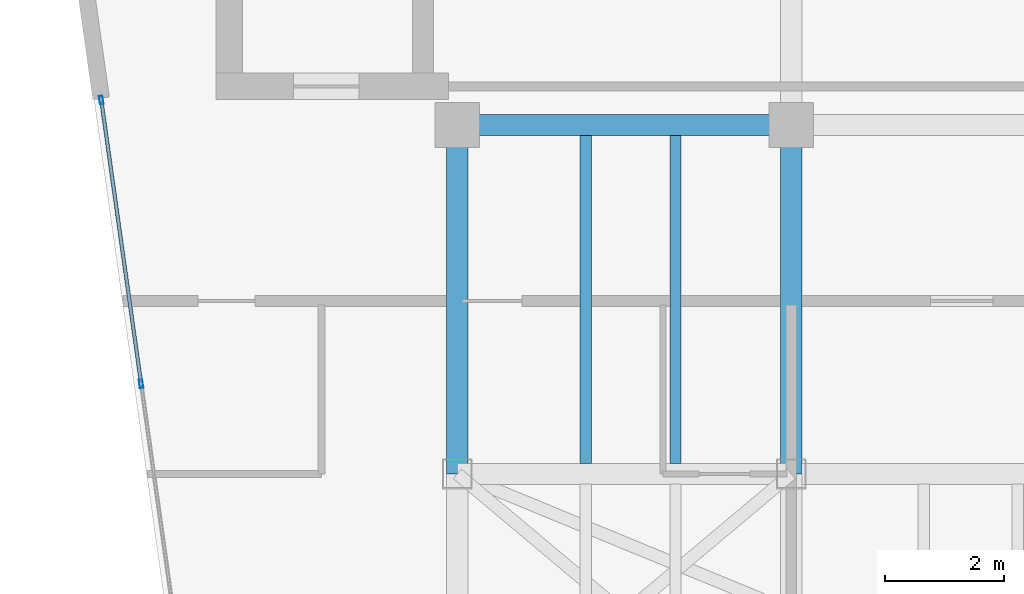
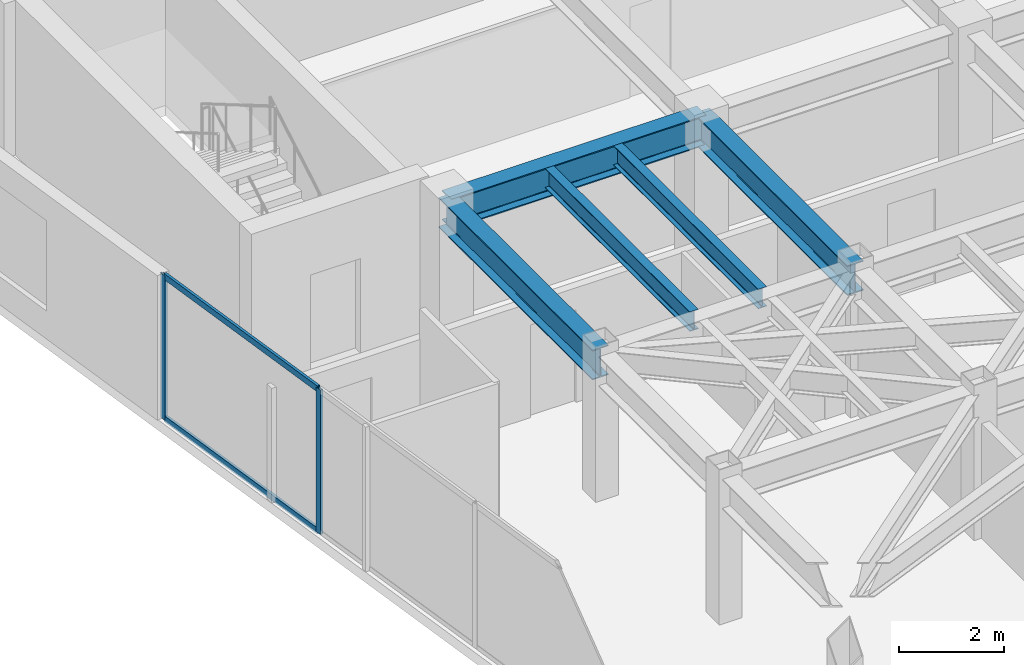
# One storey, part 10 of 20: 5 beams, 4 members, 1 element without a shape of its own.
"""IFC4 building model written with IfcOpenShell, lengths in metres."""

import ifcopenshell
import ifcopenshell.guid

model = None  # the IFC model being written
_history = None  # IfcOwnerHistory: only IFC2X3 demands one
_inside = {}  # id of a spatial element -> (the spatial element, [elements in it])
_under = {}  # id of a project, library or spatial element -> (it, [spatial elements below it])
_declared = {}  # id of a project -> (the project, [libraries it declares])
_typed = {}  # id of a type object -> (the type object, [elements of that type])
_made_of = {}  # id of a material, layer set ... -> (it, [elements and type objects made of it])


def new_model(schema):
    """Start an empty IFC model of exactly this schema.

    Asked for "IFC4X3", IfcOpenShell would pick the latest addendum, in which some entities
    have other attributes; the version numbers below select the first issue.
    IFC2X3 requires an IfcOwnerHistory on every rooted entity: one is made here for all.
    """
    global model, _history
    if schema == "IFC4X3":
        model = ifcopenshell.file(schema_version=(4, 3, 0, 0))
    else:
        model = ifcopenshell.file(schema=schema)
    _inside.clear()
    _under.clear()
    _declared.clear()
    _typed.clear()
    _made_of.clear()
    _history = None
    if model.schema == "IFC2X3":
        org = make("IfcOrganization", Name="unknown")
        user = make(
            "IfcPersonAndOrganization",
            ThePerson=make("IfcPerson", FamilyName="unknown"),
            TheOrganization=org,
        )
        app = make(
            "IfcApplication",
            ApplicationDeveloper=org,
            Version="unknown",
            ApplicationFullName="unknown",
            ApplicationIdentifier="unknown",
        )
        _history = make(
            "IfcOwnerHistory",
            OwningUser=user,
            OwningApplication=app,
            ChangeAction="ADDED",
            CreationDate=0,
        )
    return model


def make(cls, **values):
    """One entity of the class cls with the attributes given. An attribute that is None is left unset."""
    return model.create_entity(
        cls, **{name: value for name, value in values.items() if value is not None}
    )


def rooted(cls, **values):
    """An entity with a GlobalId (a new one), such as an element, a storey or a relation."""
    return make(cls, GlobalId=ifcopenshell.guid.new(), OwnerHistory=_history, **values)


def si_unit(unit_type, name, prefix=None):
    """IfcSIUnit, for example si_unit("LENGTHUNIT", "METRE", prefix="MILLI")."""
    return make("IfcSIUnit", UnitType=unit_type, Prefix=prefix, Name=name)


def assignment(units):
    """IfcUnitAssignment: the units of a project."""
    return None if units is None else make("IfcUnitAssignment", Units=units)


def point(xyz):
    """IfcCartesianPoint."""
    return None if xyz is None else make("IfcCartesianPoint", Coordinates=xyz)


def direction(xyz):
    """IfcDirection."""
    return None if xyz is None else make("IfcDirection", DirectionRatios=xyz)


def frame(location, z_axis=None, x_axis=None):
    """IfcAxis2Placement3D, a coordinate frame: its origin and axes. An axis left out is left unset."""
    return make(
        "IfcAxis2Placement3D",
        Location=point(location),
        Axis=direction(z_axis),
        RefDirection=direction(x_axis),
    )


def frame_2d(location, x_axis=None):
    """IfcAxis2Placement2D, a coordinate frame in the plane: its origin and x axis."""
    return make(
        "IfcAxis2Placement2D", Location=point(location), RefDirection=direction(x_axis)
    )


def origin():
    """The frame at (0, 0, 0) with its axes left unset."""
    return frame((0.0, 0.0, 0.0))


def origin_2d():
    """The frame at (0, 0) in the plane with its x axis left unset."""
    return frame_2d((0.0, 0.0))


def place(relative_to, where):
    """IfcLocalPlacement: puts the frame where relative to a parent placement (None: the world)."""
    return make(
        "IfcLocalPlacement", PlacementRelTo=relative_to, RelativePlacement=where
    )


def context(
    kind, dimensions, precision=None, world=None, true_north=None, identifier=None
):
    """IfcGeometricRepresentationContext, for example the 3D "Model" context."""
    return make(
        "IfcGeometricRepresentationContext",
        ContextIdentifier=identifier,
        ContextType=kind,
        CoordinateSpaceDimension=dimensions,
        Precision=precision,
        WorldCoordinateSystem=world,
        TrueNorth=true_north,
    )


def subcontext(parent, identifier, kind, view, scale=None):
    """IfcGeometricRepresentationSubContext, for example "Body" below "Model"."""
    return make(
        "IfcGeometricRepresentationSubContext",
        ContextIdentifier=identifier,
        ContextType=kind,
        ParentContext=parent,
        TargetScale=scale,
        TargetView=view,
    )


def project(units=None, contexts=None):
    """IfcProject with its units and contexts."""
    return rooted(
        "IfcProject",
        Name="project",
        RepresentationContexts=contexts,
        UnitsInContext=assignment(units),
    )


def spatial(cls, under=None, at=None, **own):
    """A site, building, storey or space (cls), placed at a placement, below another one or the project."""
    s = rooted(cls, ObjectPlacement=at, **own)
    if under is not None:
        _under.setdefault(under.id(), (under, []))[1].append(s)
    return s


def profile(cls, at=None, kind="AREA", **sizes):
    """A parametric profile (cls). Its sizes go by their IFC names, for example OverallWidth=200.0."""
    return make(cls, ProfileType=kind, Position=at, **sizes)


def hollow_rectangle(**sizes):
    """IfcRectangleHollowProfileDef."""
    return profile("IfcRectangleHollowProfileDef", **sizes)


def i_section(**sizes):
    """IfcIShapeProfileDef."""
    return profile("IfcIShapeProfileDef", **sizes)


def extrude(swept, where, along, depth):
    """IfcExtrudedAreaSolid: the profile swept, set in the frame where, extruded along a direction by depth."""
    return make(
        "IfcExtrudedAreaSolid",
        SweptArea=swept,
        Position=where,
        ExtrudedDirection=direction(along),
        Depth=depth,
    )


def shape(context_of_items, identifier, shape_type, items):
    """IfcShapeRepresentation: the items that make up one representation, for example the "Body"."""
    return make(
        "IfcShapeRepresentation",
        ContextOfItems=context_of_items,
        RepresentationIdentifier=identifier,
        RepresentationType=shape_type,
        Items=items,
    )


def material(Name=None, Category=None):
    """IfcMaterial."""
    return make("IfcMaterial", Name=Name, Category=Category)


def layer(
    of_material, thickness, ventilated=None, Name=None, Category=None, Priority=None
):
    """IfcMaterialLayer: one layer of a wall or slab, of a material (None: an air gap)."""
    return make(
        "IfcMaterialLayer",
        Material=of_material,
        LayerThickness=thickness,
        IsVentilated=ventilated,
        Name=Name,
        Category=Category,
        Priority=Priority,
    )


def layer_set(layers, Name=None):
    """IfcMaterialLayerSet."""
    return make("IfcMaterialLayerSet", MaterialLayers=layers, LayerSetName=Name)


def material_profile(
    of_material, cross_section, Name=None, Category=None, Priority=None
):
    """IfcMaterialProfile: a cross section and its material."""
    return make(
        "IfcMaterialProfile",
        Name=Name,
        Material=of_material,
        Profile=cross_section,
        Priority=Priority,
        Category=Category,
    )


def profile_set(profiles, Name=None, composite=None):
    """IfcMaterialProfileSet."""
    return make(
        "IfcMaterialProfileSet",
        Name=Name,
        MaterialProfiles=profiles,
        CompositeProfile=composite,
    )


def made_of(thing, what):
    """Note that an element or type object is made of a material, layer set ...; save() writes the relation."""
    if what is not None:
        _made_of.setdefault(what.id(), (what, []))[1].append(thing)
    return thing


def type_object(cls, material=None, **own):
    """A type object (cls), such as IfcWallType, which elements share."""
    return made_of(rooted(cls, **own), material)


def element(
    cls,
    number,
    at=None,
    inside=None,
    cuts=None,
    type_object=None,
    material=None,
    context=None,
    identifier="Body",
    shape_type=None,
    held_by="IfcProductDefinitionShape",
    body=None,
    shapes=None,
    **own,
):
    """One element of the class cls, such as IfcWall. Its Tag is "e" and its number.

    at: its placement. inside: the storey or other place that contains it. cuts: it is an
    opening in that element (IfcRelVoidsElement). A single representation is given by context,
    identifier, shape_type and body (its items); several are given by shapes. held_by: the class
    of the entity that holds the representations. save() writes the other relations.
    """
    e = rooted(cls, Tag="e%d" % number, ObjectPlacement=at, **own)
    if body is not None:
        shapes = [shape(context, identifier, shape_type, body)]
    if shapes is not None:
        e.Representation = make(held_by, Representations=shapes)
    if inside is not None:
        _inside.setdefault(inside.id(), (inside, []))[1].append(e)
    if cuts is not None:
        rooted(
            "IfcRelVoidsElement", RelatingBuildingElement=cuts, RelatedOpeningElement=e
        )
    if type_object is not None:
        _typed.setdefault(type_object.id(), (type_object, []))[1].append(e)
    return made_of(e, material)


def aggregate(whole, parts):
    """IfcRelAggregates: a whole, such as a stair, and the parts it consists of."""
    return rooted("IfcRelAggregates", RelatingObject=whole, RelatedObjects=parts)


def save(model, path):
    """Write the relations noted so far, then the file.

    IfcRelAggregates (storeys below a building ...), IfcRelContainedInSpatialStructure (elements
    in a storey), IfcRelDefinesByType, IfcRelAssociatesMaterial and IfcRelDeclares: one each for
    every whole, place, type object, material and project.
    """
    for whole, parts in _under.values():
        aggregate(whole, parts)
    for where, things in _inside.values():
        rooted(
            "IfcRelContainedInSpatialStructure",
            RelatedElements=things,
            RelatingStructure=where,
        )
    for kind, things in _typed.values():
        rooted("IfcRelDefinesByType", RelatedObjects=things, RelatingType=kind)
    for what, things in _made_of.values():
        rooted("IfcRelAssociatesMaterial", RelatedObjects=things, RelatingMaterial=what)
    for by, libraries in _declared.values():
        rooted("IfcRelDeclares", RelatingContext=by, RelatedDefinitions=libraries)
    model.write(path)


model = new_model("IFC4")

# Units and contexts
model_context = context("Model", 3, precision=1e-05, world=origin(), true_north=direction((0.0, 1.0)))
body_context = subcontext(model_context, "Body", "Model", "MODEL_VIEW")
ifc_project = project(units=[si_unit("LENGTHUNIT", "METRE"), si_unit("AREAUNIT", "SQUARE_METRE"), si_unit("VOLUMEUNIT", "CUBIC_METRE"), si_unit("PLANEANGLEUNIT", "RADIAN"), si_unit("MASSUNIT", "GRAM", prefix="KILO")], contexts=[model_context])

# Site, building, storey
site_placement = place(None, origin())
site = spatial("IfcSite", under=ifc_project, at=site_placement, CompositionType="ELEMENT")
building_placement = place(site_placement, origin())
building = spatial("IfcBuilding", under=site, at=building_placement, Name="Kravanh Interchange Tower", CompositionType="ELEMENT")
storey_placement = place(building_placement, frame((0.0, 0.0, 234.60009765625)))
storey = spatial("IfcBuildingStorey", under=building, at=storey_placement, Name="L56", CompositionType="ELEMENT", Elevation=234.60009765625)

# Curtain wall, members
ifc_material_1 = material(Name="Anodised Bronze Aluminium", Category="aluminium")
ifc_layer = layer(ifc_material_1, 0.179931640625)
ifc_layer_set = layer_set([ifc_layer], Name="Unitised Curtain Wall System CW-HTL Luxury Hotel")
curtain_wall_type = type_object("IfcCurtainWallType", Name="Unitised Curtain Wall System CW-HTL Luxury Hotel", PredefinedType="NOTDEFINED", material=ifc_layer_set)
curtain_wall_placement = place(storey_placement, origin())
curtain_wall = element("IfcCurtainWall", 1, at=curtain_wall_placement, inside=storey, type_object=curtain_wall_type, Name="L56 Unitised Curtain Wall CW-L56-01", PredefinedType="NOTDEFINED")
ifc_material_2 = material(Name="Anodised Bronze Aluminium", Category="aluminium")
ifc_material_profile_1 = material_profile(ifc_material_2, hollow_rectangle(XDim=0.06005859375, YDim=0.139892578125, WallThickness=0.00390625, at=origin_2d()), Name="ALU60X140X4")
ifc_profile_set_1 = profile_set([ifc_material_profile_1], Name="Anodised Bronze Aluminium")
member_type_1 = type_object("IfcMemberType", Name="Curtain Wall Mullion ALU60X140X4 Bronze", PredefinedType="MULLION", material=ifc_profile_set_1)
member_1_placement = place(storey_placement, frame((21.89794921875, 33.010498046875, 0.0), z_axis=(0.0, 0.0, 1.0), x_axis=(-0.990267623707, -0.13917626751, 0.0)))
member_1 = element("IfcMember", 2, at=member_1_placement, type_object=member_type_1, Name="CW-HTL mullion 4", PredefinedType="MULLION", context=body_context, shape_type="SweptSolid", body=[
    extrude(hollow_rectangle(XDim=0.06005859375, YDim=0.139892578125, WallThickness=0.00390625, at=origin_2d()), origin(), (0.0, 0.0, 1.0), 3.35986328125),
])
member_2_placement = place(storey_placement, frame((21.22900390625, 37.770263671875, 0.0), z_axis=(0.0, 0.0, 1.0), x_axis=(-0.990267623707, -0.13917626751, 0.0)))
member_2 = element("IfcMember", 3, at=member_2_placement, type_object=member_type_1, Name="CW-HTL mullion 5", PredefinedType="MULLION", context=body_context, shape_type="SweptSolid", body=[
    extrude(hollow_rectangle(XDim=0.06005859375, YDim=0.139892578125, WallThickness=0.00390625, at=origin_2d()), origin(), (0.0, 0.0, 1.0), 3.35986328125),
])
ifc_material_3 = material(Name="Anodised Bronze Aluminium", Category="aluminium")
ifc_material_profile_2 = material_profile(ifc_material_3, hollow_rectangle(XDim=0.06005859375, YDim=0.139892578125, WallThickness=0.00390625, at=origin_2d()), Name="ALU60X140X4")
ifc_profile_set_2 = profile_set([ifc_material_profile_2], Name="Anodised Bronze Aluminium")
member_type_2 = type_object("IfcMemberType", Name="Curtain Wall Transom ALU60X140X4 Bronze", PredefinedType="USERDEFINED", material=ifc_profile_set_2)
member_3_placement = place(storey_placement, frame((21.893798828125, 33.0400390625, 0.02978515625), z_axis=(-0.13918153974, 0.990266882712, 0.0), x_axis=(-0.990266882712, -0.13918153974, 0.0)))
member_3 = element("IfcMember", 4, at=member_3_placement, type_object=member_type_2, Name="CW-HTL transom 4.1", ObjectType="TRANSOM", PredefinedType="USERDEFINED", context=body_context, shape_type="SweptSolid", body=[
    extrude(hollow_rectangle(XDim=0.06005859375, YDim=0.139892578125, WallThickness=0.00390625, at=origin_2d()), origin(), (0.0, 0.0, 1.0), 4.74658203125),
])
member_4_placement = place(storey_placement, frame((21.893798828125, 33.0400390625, 3.329833984375), z_axis=(-0.13918153974, 0.990266882712, 0.0), x_axis=(-0.990266882712, -0.13918153974, 0.0)))
member_4 = element("IfcMember", 5, at=member_4_placement, type_object=member_type_2, Name="CW-HTL transom 4.2", ObjectType="TRANSOM", PredefinedType="USERDEFINED", context=body_context, shape_type="SweptSolid", body=[
    extrude(hollow_rectangle(XDim=0.06005859375, YDim=0.139892578125, WallThickness=0.00390625, at=origin_2d()), origin(), (0.0, 0.0, 1.0), 4.74658203125),
])
aggregate(curtain_wall, [member_1, member_2, member_3, member_4])

# Beams
ifc_material_4 = material(Name="Structural Steel S355", Category="steel")
ifc_material_profile_3 = material_profile(ifc_material_4, i_section(OverallWidth=0.35498046875, OverallDepth=0.696044921875, WebThickness=0.015380859375, FlangeThickness=0.02490234375, FilletRadius=0.02392578125, at=origin_2d()), Name="W27X146")
ifc_profile_set_3 = profile_set([ifc_material_profile_3], Name="Structural Steel S355")
beam_type_1 = type_object("IfcBeamType", Name="Floor Beam W27X146 Structural Steel S355", PredefinedType="BEAM", material=ifc_profile_set_3)
for number, where, z_axis, x_axis, name in (
    (6, (32.800048828125, 31.5, 3.011962890625), (0.0, 1.0, 0.0), (-1.0, 0.0, 0.0), "L56 Primary Floor Girder 23"),
    (7, (27.199951171875, 31.5, 3.011962890625), (0.0, 1.0, 0.0), (-1.0, 0.0, 0.0), "L56 Primary Floor Girder 26"),
):
    element("IfcBeam", number, at=place(storey_placement, frame(where, z_axis=z_axis, x_axis=x_axis)), inside=storey, type_object=beam_type_1, Name=name, PredefinedType="BEAM", context=body_context, shape_type="SweptSolid", body=[
        extrude(i_section(OverallWidth=0.35498046875, OverallDepth=0.696044921875, WebThickness=0.015380859375, FlangeThickness=0.02490234375, FilletRadius=0.02392578125, at=origin_2d()), origin(), (0.0, 0.0, 1.0), 5.85009765625),
    ])
beam_placement = place(storey_placement, frame((32.800048828125, 37.35009765625, 3.011962890625), z_axis=(-1.0, 0.0, 0.0), x_axis=(0.0, -1.0, 0.0)))
element("IfcBeam", 8, at=beam_placement, inside=storey, type_object=beam_type_1, Name="L56 Primary Floor Girder 58", PredefinedType="BEAM", context=body_context, shape_type="SweptSolid", body=[
    extrude(i_section(OverallWidth=0.35498046875, OverallDepth=0.696044921875, WebThickness=0.015380859375, FlangeThickness=0.02490234375, FilletRadius=0.02392578125, at=origin_2d()), origin(), (0.0, 0.0, 1.0), 5.60009765625),
])
ifc_material_5 = material(Name="Structural Steel S355", Category="steel")
ifc_material_profile_4 = material_profile(ifc_material_5, i_section(OverallWidth=0.18994140625, OverallDepth=0.45703125, WebThickness=0.009033203125, FlangeThickness=0.014404296875, FilletRadius=0.01806640625, at=origin_2d()), Name="W18X50")
ifc_profile_set_4 = profile_set([ifc_material_profile_4], Name="Structural Steel S355")
beam_type_2 = type_object("IfcBeamType", Name="Floor Joist W18X50 Structural Steel S355", PredefinedType="JOIST", material=ifc_profile_set_4)
for number, where, z_axis, x_axis, name in (
    (9, (29.35498046875, 31.672607421875, 3.13134765625), (0.0, 1.0, 0.0), (-1.0, 0.0, 0.0), "L56 Secondary Floor Joist 11"),
    (10, (30.860107421875, 31.672607421875, 3.13134765625), (0.0, 1.0, 0.0), (-1.0, 0.0, 0.0), "L56 Secondary Floor Joist 12"),
):
    element("IfcBeam", number, at=place(storey_placement, frame(where, z_axis=z_axis, x_axis=x_axis)), inside=storey, type_object=beam_type_2, Name=name, PredefinedType="JOIST", context=body_context, shape_type="SweptSolid", body=[
        extrude(i_section(OverallWidth=0.18994140625, OverallDepth=0.45703125, WebThickness=0.009033203125, FlangeThickness=0.014404296875, FilletRadius=0.01806640625, at=origin_2d()), origin(), (0.0, 0.0, 1.0), 5.5048828125),
    ])

save(model, "model.ifc")
